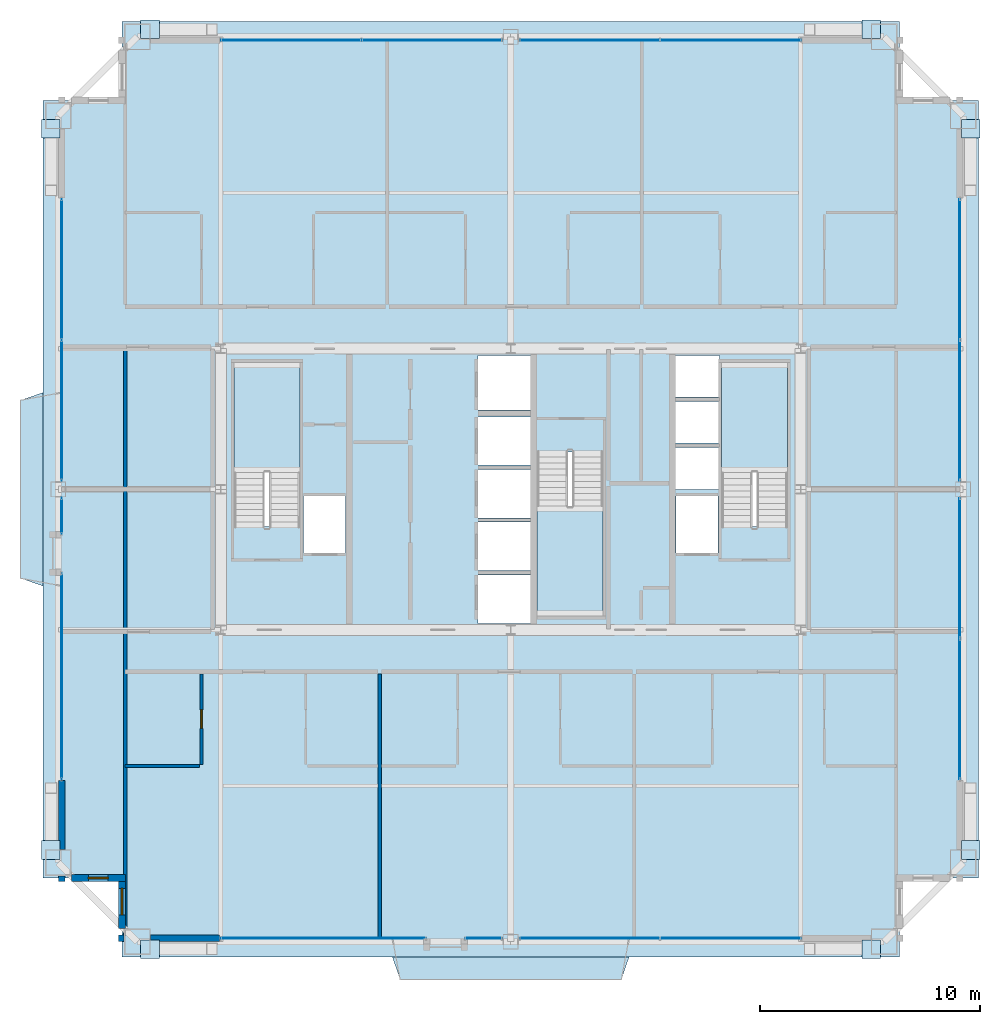
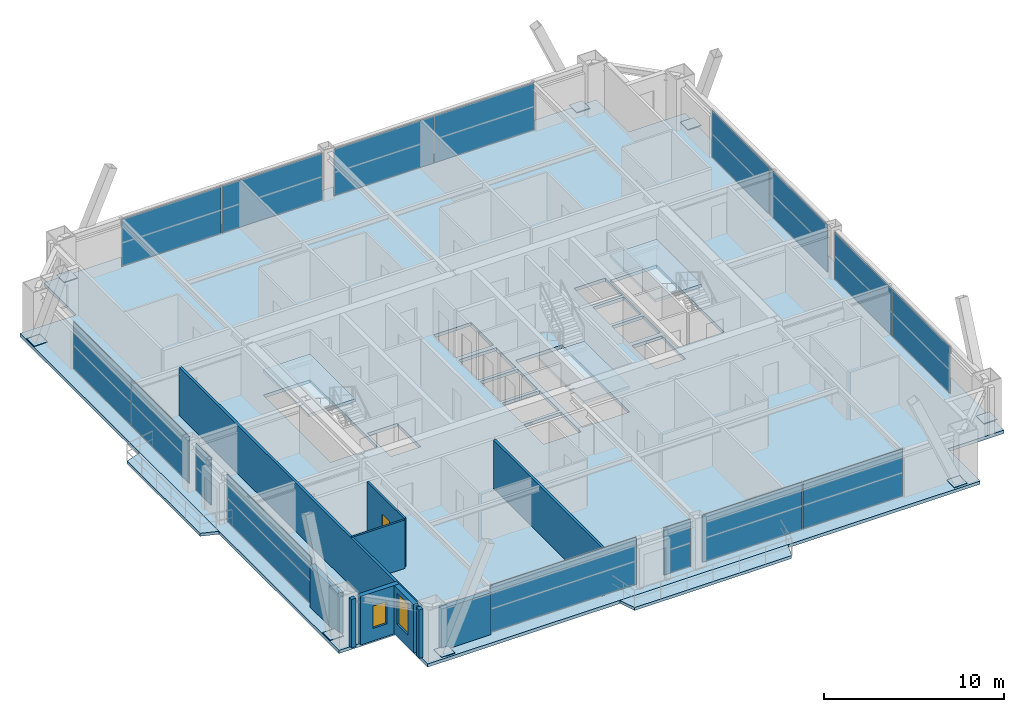
# One storey, part 28 of 33: 24 plates, 10 walls, 6 slabs, 2 windows, 1 door, 3 openings, 13 elements without a shape of their own.
"""IFC4 building model written with IfcOpenShell, lengths in metres."""

from ifc_helpers import new_model, si_unit, direction, frame, frame_2d, origin, origin_2d, place, context, subcontext, project, spatial, polyline, rectangle, outline, extrude, source, transform, mapped, material, layer, layer_set, type_object, element, fill, aggregate, save


model = new_model("IFC4")

# Units and contexts
model_context = context("Model", 3, precision=1e-05, world=origin(), true_north=direction((0.0, 1.0)))
body_context = subcontext(model_context, "Body", "Model", "MODEL_VIEW")
ifc_project = project(units=[si_unit("LENGTHUNIT", "METRE"), si_unit("AREAUNIT", "SQUARE_METRE"), si_unit("VOLUMEUNIT", "CUBIC_METRE"), si_unit("PLANEANGLEUNIT", "RADIAN"), si_unit("MASSUNIT", "GRAM", prefix="KILO"), si_unit("THERMODYNAMICTEMPERATUREUNIT", "KELVIN"), si_unit("POWERUNIT", "WATT")], contexts=[model_context])

# Site, building, storey
site_placement = place(None, origin())
site = spatial("IfcSite", under=ifc_project, at=site_placement, CompositionType="ELEMENT")
building_placement = place(site_placement, origin())
building = spatial("IfcBuilding", under=site, at=building_placement, Name="Yuzanri Waterfront Tower", CompositionType="ELEMENT")
storey_placement = place(building_placement, frame((0.0, 0.0, 234.60009765625)))
storey = spatial("IfcBuildingStorey", under=building, at=storey_placement, Name="L62", CompositionType="ELEMENT", Elevation=234.60009765625)

# Slabs
ifc_material_1 = material(Name="Concrete C40", Category="concrete")
ifc_layer_1 = layer(ifc_material_1, 0.199951171875)
ifc_layer_set_1 = layer_set([ifc_layer_1], Name="Concrete C40")
slab_type_1 = type_object("IfcSlabType", Name="Concrete C40 Cantilevered Engawa Wave Terrace Slab 200", PredefinedType="FLOOR", material=ifc_layer_set_1)
slab_1_placement = place(storey_placement, frame((0.0, 0.0, -0.2001953125)))
element("IfcSlab", 1, at=slab_1_placement, inside=storey, type_object=slab_type_1, Name="L62 S Cantilevered Engawa Terrace Slab", PredefinedType="FLOOR", context=body_context, shape_type="SweptSolid", body=[
    extrude(outline(polyline([(31.614501953125, 4.5), (42.385498046875, 4.5), (42.035400390625, 3.48291015625), (31.964599609375, 3.48291015625), (31.614501953125, 4.5)])), origin(), (0.0, 0.0, 1.0), 0.2001953125),
])
slab_2_placement = place(storey_placement, frame((0.0, 0.0, -0.2001953125)))
element("IfcSlab", 2, at=slab_2_placement, inside=storey, type_object=slab_type_1, Name="L62 W Cantilevered Engawa Terrace Slab", PredefinedType="FLOOR", context=body_context, shape_type="SweptSolid", body=[
    extrude(outline(polyline([(15.699951171875, 21.39990234375), (14.68310546875, 21.75), (14.68310546875, 29.85009765625), (15.699951171875, 30.199951171875), (15.699951171875, 21.39990234375)])), origin(), (0.0, 0.0, 1.0), 0.2001953125),
])

# Stair, slab
ifc_material_2 = material(Name="Concrete C40", Category="concrete")
stair_type = type_object("IfcStairType", Name="Concrete C40 Core Dogleg Exit Stair", PredefinedType="HALF_TURN_STAIR", material=ifc_material_2)
stair_1_placement = place(storey_placement, origin())
stair_1 = element("IfcStair", 3, at=stair_1_placement, inside=storey, type_object=stair_type, Name="L62 Smoke-Proof Core Stair ST-01", PredefinedType="HALF_TURN_STAIR")
ifc_material_3 = material(Name="Concrete C40", Category="concrete")
ifc_layer_2 = layer(ifc_material_3, 0.179931640625)
ifc_layer_set_2 = layer_set([ifc_layer_2], Name="Concrete C40")
slab_type_2 = type_object("IfcSlabType", Name="Concrete C40 Stair Half-Landing Slab 180", PredefinedType="LANDING", material=ifc_layer_set_2)
slab_3_placement = place(storey_placement, frame((0.0, 0.0, 1.5498046875)))
slab_3 = element("IfcSlab", 4, at=slab_3_placement, type_object=slab_type_2, Name="ST-01 landing 1", PredefinedType="LANDING", context=body_context, shape_type="SweptSolid", body=[
    extrude(outline(polyline([(27.39990234375, 26.56005859375), (27.39990234375, 31.580078125), (24.39990234375, 31.580078125), (24.39990234375, 26.56005859375), (27.39990234375, 26.56005859375)])), origin(), (0.0, 0.0, 1.0), 0.2001953125),
])
aggregate(stair_1, [slab_3])

stair_2_placement = place(storey_placement, origin())
stair_2 = element("IfcStair", 5, at=stair_2_placement, inside=storey, type_object=stair_type, Name="L62 Smoke-Proof Core Stair ST-02", PredefinedType="HALF_TURN_STAIR")
slab_4_placement = place(storey_placement, frame((0.0, 0.0, 1.5498046875)))
slab_4 = element("IfcSlab", 6, at=slab_4_placement, type_object=slab_type_2, Name="ST-02 landing 1", PredefinedType="LANDING", context=body_context, shape_type="SweptSolid", body=[
    extrude(outline(polyline([(49.60009765625, 26.56005859375), (49.60009765625, 31.580078125), (46.60009765625, 31.580078125), (46.60009765625, 26.56005859375), (49.60009765625, 26.56005859375)])), origin(), (0.0, 0.0, 1.0), 0.2001953125),
])
aggregate(stair_2, [slab_4])

stair_3_placement = place(storey_placement, origin())
stair_3 = element("IfcStair", 7, at=stair_3_placement, inside=storey, type_object=stair_type, Name="L62 Smoke-Proof Core Stair ST-03", PredefinedType="HALF_TURN_STAIR")
slab_5_placement = place(storey_placement, frame((0.0, 0.0, 1.5498046875)))
slab_5 = element("IfcSlab", 8, at=slab_5_placement, type_object=slab_type_2, Name="ST-03 landing 1", PredefinedType="LANDING", context=body_context, shape_type="SweptSolid", body=[
    extrude(outline(polyline([(38.199951171875, 25.0400390625), (38.199951171875, 20.02001953125), (41.199951171875, 20.02001953125), (41.199951171875, 25.0400390625), (38.199951171875, 25.0400390625)])), origin(), (0.0, 0.0, 1.0), 0.2001953125),
])
aggregate(stair_3, [slab_5])

# Slab
ifc_material_4 = material(Name="Concrete C40", Category="concrete")
ifc_layer_3 = layer(ifc_material_4, 0.219970703125)
ifc_layer_set_3 = layer_set([ifc_layer_3], Name="Concrete C40")
slab_type_3 = type_object("IfcSlabType", Name="Concrete C40 Tower Typical Structural Floor Slab 220", PredefinedType="FLOOR", material=ifc_layer_set_3)
slab_6_placement = place(storey_placement, frame((0.0, 0.0, -0.22021484375)))
element("IfcSlab", 9, at=slab_6_placement, inside=storey, type_object=slab_type_3, Name="L62 Main Structural Floor Slab", PredefinedType="FLOOR", context=body_context, shape_type="SweptSolid", body=[
    extrude(outline(polyline([(19.300048828125, 4.5), (54.699951171875, 4.5), (54.699951171875, 8.10009765625), (58.300048828125, 8.10009765625), (58.300048828125, 43.5), (54.699951171875, 43.5), (54.699951171875, 47.10009765625), (19.300048828125, 47.10009765625), (19.300048828125, 43.5), (15.699951171875, 43.5), (15.699951171875, 8.10009765625), (19.300048828125, 8.10009765625), (19.300048828125, 4.5)]), holes=[polyline([(27.39990234375, 24.10009765625), (27.39990234375, 31.580078125), (24.39990234375, 31.580078125), (24.39990234375, 24.10009765625), (27.39990234375, 24.10009765625)]), polyline([(49.60009765625, 24.10009765625), (49.60009765625, 31.580078125), (46.60009765625, 31.580078125), (46.60009765625, 24.10009765625), (49.60009765625, 24.10009765625)]), polyline([(38.199951171875, 27.5), (38.199951171875, 20.02001953125), (41.199951171875, 20.02001953125), (41.199951171875, 27.5), (38.199951171875, 27.5)]), polyline([(27.56005859375, 22.89990234375), (29.47998046875, 22.89990234375), (29.47998046875, 25.5), (27.56005859375, 25.5), (27.56005859375, 22.89990234375)]), polyline([(44.52001953125, 22.89990234375), (46.43994140625, 22.89990234375), (46.43994140625, 25.5), (44.52001953125, 25.5), (44.52001953125, 22.89990234375)]), polyline([(35.5, 19.699951171875), (37.89990234375, 19.699951171875), (37.89990234375, 21.89990234375), (35.5, 21.89990234375), (35.5, 19.699951171875)]), polyline([(35.5, 22.10009765625), (37.89990234375, 22.10009765625), (37.89990234375, 24.300048828125), (35.5, 24.300048828125), (35.5, 22.10009765625)]), polyline([(35.5, 24.5), (37.89990234375, 24.5), (37.89990234375, 26.699951171875), (35.5, 26.699951171875), (35.5, 24.5)]), polyline([(35.5, 26.89990234375), (37.89990234375, 26.89990234375), (37.89990234375, 29.10009765625), (35.5, 29.10009765625), (35.5, 26.89990234375)]), polyline([(35.5, 29.39990234375), (37.89990234375, 29.39990234375), (37.89990234375, 31.89990234375), (35.5, 31.89990234375), (35.5, 29.39990234375)]), polyline([(44.5, 25.800048828125), (46.5, 25.800048828125), (46.5, 27.699951171875), (44.5, 27.699951171875), (44.5, 25.800048828125)]), polyline([(44.5, 27.89990234375), (46.5, 27.89990234375), (46.5, 29.800048828125), (44.5, 29.800048828125), (44.5, 27.89990234375)]), polyline([(44.5, 30.0), (46.5, 30.0), (46.5, 31.89990234375), (44.5, 31.89990234375), (44.5, 30.0)])]), origin(), (0.0, 0.0, 1.0), 0.22021484375),
])

# Plates
ifc_material_5 = material(Name="Steel Q420GJC", Category="steel")
ifc_layer_4 = layer(ifc_material_5, 0.0400390625)
ifc_layer_set_4 = layer_set([ifc_layer_4], Name="Steel Q420GJC")
plate_type_1 = type_object("IfcPlateType", Name="Steel Q420GJC Mega-Brace Gusset and End-Cap Plate 40", PredefinedType="SHEET", material=ifc_layer_set_4)
shared_shape_1 = source(origin(), body_context, "Body", "SweptSolid", [
    extrude(rectangle(XDim=0.85009765625, YDim=0.85009765625, at=origin_2d()), origin(), (0.0, 0.0, 1.0), 0.0400390625),
])
for number, where, z_axis, x_axis, name in (
    (10, (20.580078125, 4.860107421875, 0.159912109375), (0.0, 0.0, 1.0), (1.0, 0.0, 0.0), "L62 Mega-Brace Foot Cap Plate S-L"),
    (11, (53.419921875, 4.860107421875, 0.159912109375), (0.0, 0.0, 1.0), (1.0, 0.0, 0.0), "L62 Mega-Brace Foot Cap Plate S-R"),
    (12, (20.580078125, 46.739990234375, 0.159912109375), (0.0, 0.0, 1.0), (1.0, 0.0, 0.0), "L62 Mega-Brace Foot Cap Plate N-L"),
    (13, (53.419921875, 46.739990234375, 0.159912109375), (0.0, 0.0, 1.0), (1.0, 0.0, 0.0), "L62 Mega-Brace Foot Cap Plate N-R"),
    (14, (16.06005859375, 9.3798828125, 0.159912109375), (0.0, 0.0, 1.0), (1.0, 0.0, 0.0), "L62 Mega-Brace Foot Cap Plate W-L"),
    (15, (16.06005859375, 42.219970703125, 0.159912109375), (0.0, 0.0, 1.0), (1.0, 0.0, 0.0), "L62 Mega-Brace Foot Cap Plate W-R"),
    (16, (57.93994140625, 9.3798828125, 0.159912109375), (0.0, 0.0, 1.0), (1.0, 0.0, 0.0), "L62 Mega-Brace Foot Cap Plate E-L"),
    (17, (57.93994140625, 42.219970703125, 0.159912109375), (0.0, 0.0, 1.0), (1.0, 0.0, 0.0), "L62 Mega-Brace Foot Cap Plate E-R"),
):
    element("IfcPlate", number, at=place(storey_placement, frame(where, z_axis=z_axis, x_axis=x_axis)), inside=storey, type_object=plate_type_1, Name=name, PredefinedType="SHEET", context=body_context, shape_type="MappedRepresentation", body=[
        mapped(shared_shape_1, transform((0.0, 0.0, 0.0), scale=1.0)),
    ])

# Curtain wall, plates
ifc_material_6 = material(Name="Anodized Architectural Bronze", Category="metal")
ifc_layer_5 = layer(ifc_material_6, 0.159912109375)
ifc_layer_set_5 = layer_set([ifc_layer_5], Name="Anodized Architectural Bronze")
curtain_wall_type = type_object("IfcCurtainWallType", Name="Anodized Bronze Mid-Rise Residential Acoustic Unitized Curtain Wall 7200", PredefinedType="NOTDEFINED", material=ifc_layer_set_5)
curtain_wall_1_placement = place(storey_placement, origin())
curtain_wall_1 = element("IfcCurtainWall", 18, at=curtain_wall_1_placement, inside=storey, type_object=curtain_wall_type, Name="L62 Curtain Wall CW-L62-SR", PredefinedType="NOTDEFINED")
ifc_material_7 = material(Name="Triple Low-E Laminated Insulated Glass", Category="glass")
ifc_layer_6 = layer(ifc_material_7, 0.0439453125)
ifc_layer_set_6 = layer_set([ifc_layer_6], Name="Triple Low-E Laminated Insulated Glass")
plate_type_2 = type_object("IfcPlateType", Name="Triple Glazed Acoustic Vision Glass Panel 44", PredefinedType="CURTAIN_PANEL", material=ifc_layer_set_6)
shared_shape_2 = source(origin(), body_context, "Body", "SweptSolid", [
    extrude(rectangle(XDim=6.3701171875, YDim=0.0439453125, at=origin_2d()), origin(), (0.0, 0.0, 1.0), 3.179931640625),
])
plate_1_placement = place(storey_placement, frame((40.574951171875, 5.35009765625, 0.0498046875), z_axis=(0.0, 0.0, 1.0), x_axis=(1.0, 0.0, 0.0)))
plate_1 = element("IfcPlate", 19, at=plate_1_placement, type_object=plate_type_2, Name="CW-L62-SR Vision Glass Panel 01", PredefinedType="CURTAIN_PANEL", context=body_context, shape_type="MappedRepresentation", body=[
    mapped(shared_shape_2, transform((0.0, 0.0, 0.0), scale=1.0)),
])
plate_2_placement = place(storey_placement, frame((47.02490234375, 5.35009765625, 0.0498046875), z_axis=(0.0, 0.0, 1.0), x_axis=(1.0, 0.0, 0.0)))
plate_2 = element("IfcPlate", 20, at=plate_2_placement, type_object=plate_type_2, Name="CW-L62-SR Vision Glass Panel 02", PredefinedType="CURTAIN_PANEL", context=body_context, shape_type="MappedRepresentation", body=[
    mapped(shared_shape_2, transform((0.0, 0.0, 0.0), scale=1.0)),
])
aggregate(curtain_wall_1, [plate_1, plate_2])

curtain_wall_2_placement = place(storey_placement, origin())
curtain_wall_2 = element("IfcCurtainWall", 21, at=curtain_wall_2_placement, inside=storey, type_object=curtain_wall_type, Name="L62 Curtain Wall CW-L62-NL", PredefinedType="NOTDEFINED")
plate_3_placement = place(storey_placement, frame((26.97509765625, 46.25, 0.0498046875), z_axis=(0.0, 0.0, 1.0), x_axis=(1.0, 0.0, 0.0)))
plate_3 = element("IfcPlate", 22, at=plate_3_placement, type_object=plate_type_2, Name="CW-L62-NL Vision Glass Panel 01", PredefinedType="CURTAIN_PANEL", context=body_context, shape_type="MappedRepresentation", body=[
    mapped(shared_shape_2, transform((0.0, 0.0, 0.0), scale=1.0)),
])
plate_4_placement = place(storey_placement, frame((33.425048828125, 46.25, 0.0498046875), z_axis=(0.0, 0.0, 1.0), x_axis=(1.0, 0.0, 0.0)))
plate_4 = element("IfcPlate", 23, at=plate_4_placement, type_object=plate_type_2, Name="CW-L62-NL Vision Glass Panel 02", PredefinedType="CURTAIN_PANEL", context=body_context, shape_type="MappedRepresentation", body=[
    mapped(shared_shape_2, transform((0.0, 0.0, 0.0), scale=1.0)),
])
aggregate(curtain_wall_2, [plate_3, plate_4])

curtain_wall_3_placement = place(storey_placement, origin())
curtain_wall_3 = element("IfcCurtainWall", 24, at=curtain_wall_3_placement, inside=storey, type_object=curtain_wall_type, Name="L62 Curtain Wall CW-L62-NR", PredefinedType="NOTDEFINED")
plate_5_placement = place(storey_placement, frame((40.574951171875, 46.25, 0.0498046875), z_axis=(0.0, 0.0, 1.0), x_axis=(1.0, 0.0, 0.0)))
plate_5 = element("IfcPlate", 25, at=plate_5_placement, type_object=plate_type_2, Name="CW-L62-NR Vision Glass Panel 01", PredefinedType="CURTAIN_PANEL", context=body_context, shape_type="MappedRepresentation", body=[
    mapped(shared_shape_2, transform((0.0, 0.0, 0.0), scale=1.0)),
])
plate_6_placement = place(storey_placement, frame((47.02490234375, 46.25, 0.0498046875), z_axis=(0.0, 0.0, 1.0), x_axis=(1.0, 0.0, 0.0)))
plate_6 = element("IfcPlate", 26, at=plate_6_placement, type_object=plate_type_2, Name="CW-L62-NR Vision Glass Panel 02", PredefinedType="CURTAIN_PANEL", context=body_context, shape_type="MappedRepresentation", body=[
    mapped(shared_shape_2, transform((0.0, 0.0, 0.0), scale=1.0)),
])
aggregate(curtain_wall_3, [plate_5, plate_6])

curtain_wall_4_placement = place(storey_placement, origin())
curtain_wall_4 = element("IfcCurtainWall", 27, at=curtain_wall_4_placement, inside=storey, type_object=curtain_wall_type, Name="L62 Curtain Wall CW-L62-WR", PredefinedType="NOTDEFINED")
plate_7_placement = place(storey_placement, frame((16.550048828125, 29.375, 0.0498046875), z_axis=(0.0, 0.0, 1.0), x_axis=(0.0, 1.0, 0.0)))
plate_7 = element("IfcPlate", 28, at=plate_7_placement, type_object=plate_type_2, Name="CW-L62-WR Vision Glass Panel 01", PredefinedType="CURTAIN_PANEL", context=body_context, shape_type="MappedRepresentation", body=[
    mapped(shared_shape_2, transform((0.0, 0.0, 0.0), scale=1.0)),
])
plate_8_placement = place(storey_placement, frame((16.550048828125, 35.824951171875, 0.0498046875), z_axis=(0.0, 0.0, 1.0), x_axis=(0.0, 1.0, 0.0)))
plate_8 = element("IfcPlate", 29, at=plate_8_placement, type_object=plate_type_2, Name="CW-L62-WR Vision Glass Panel 02", PredefinedType="CURTAIN_PANEL", context=body_context, shape_type="MappedRepresentation", body=[
    mapped(shared_shape_2, transform((0.0, 0.0, 0.0), scale=1.0)),
])
aggregate(curtain_wall_4, [plate_7, plate_8])

curtain_wall_5_placement = place(storey_placement, origin())
curtain_wall_5 = element("IfcCurtainWall", 30, at=curtain_wall_5_placement, inside=storey, type_object=curtain_wall_type, Name="L62 Curtain Wall CW-L62-EL", PredefinedType="NOTDEFINED")
plate_9_placement = place(storey_placement, frame((57.449951171875, 15.77490234375, 0.0498046875), z_axis=(0.0, 0.0, 1.0), x_axis=(0.0, 1.0, 0.0)))
plate_9 = element("IfcPlate", 31, at=plate_9_placement, type_object=plate_type_2, Name="CW-L62-EL Vision Glass Panel 01", PredefinedType="CURTAIN_PANEL", context=body_context, shape_type="MappedRepresentation", body=[
    mapped(shared_shape_2, transform((0.0, 0.0, 0.0), scale=1.0)),
])
plate_10_placement = place(storey_placement, frame((57.449951171875, 22.22509765625, 0.0498046875), z_axis=(0.0, 0.0, 1.0), x_axis=(0.0, 1.0, 0.0)))
plate_10 = element("IfcPlate", 32, at=plate_10_placement, type_object=plate_type_2, Name="CW-L62-EL Vision Glass Panel 02", PredefinedType="CURTAIN_PANEL", context=body_context, shape_type="MappedRepresentation", body=[
    mapped(shared_shape_2, transform((0.0, 0.0, 0.0), scale=1.0)),
])
aggregate(curtain_wall_5, [plate_9, plate_10])

curtain_wall_6_placement = place(storey_placement, origin())
curtain_wall_6 = element("IfcCurtainWall", 33, at=curtain_wall_6_placement, inside=storey, type_object=curtain_wall_type, Name="L62 Curtain Wall CW-L62-ER", PredefinedType="NOTDEFINED")
plate_11_placement = place(storey_placement, frame((57.449951171875, 29.375, 0.0498046875), z_axis=(0.0, 0.0, 1.0), x_axis=(0.0, 1.0, 0.0)))
plate_11 = element("IfcPlate", 34, at=plate_11_placement, type_object=plate_type_2, Name="CW-L62-ER Vision Glass Panel 01", PredefinedType="CURTAIN_PANEL", context=body_context, shape_type="MappedRepresentation", body=[
    mapped(shared_shape_2, transform((0.0, 0.0, 0.0), scale=1.0)),
])
plate_12_placement = place(storey_placement, frame((57.449951171875, 35.824951171875, 0.0498046875), z_axis=(0.0, 0.0, 1.0), x_axis=(0.0, 1.0, 0.0)))
plate_12 = element("IfcPlate", 35, at=plate_12_placement, type_object=plate_type_2, Name="CW-L62-ER Vision Glass Panel 02", PredefinedType="CURTAIN_PANEL", context=body_context, shape_type="MappedRepresentation", body=[
    mapped(shared_shape_2, transform((0.0, 0.0, 0.0), scale=1.0)),
])
aggregate(curtain_wall_6, [plate_11, plate_12])

# Curtain wall, plate
curtain_wall_7_placement = place(storey_placement, origin())
curtain_wall_7 = element("IfcCurtainWall", 36, at=curtain_wall_7_placement, inside=storey, type_object=curtain_wall_type, Name="L62 Curtain Wall CW-L62-SL1", PredefinedType="NOTDEFINED")
shared_shape_3 = source(origin(), body_context, "Body", "SweptSolid", [
    extrude(rectangle(XDim=9.35205078125, YDim=0.0439453125, at=origin_2d()), origin(), (0.0, 0.0, 1.0), 3.179931640625),
])
plate_13_placement = place(storey_placement, frame((28.466064453125, 5.35009765625, 0.0498046875), z_axis=(0.0, 0.0, 1.0), x_axis=(1.0, 0.0, 0.0)))
plate_13 = element("IfcPlate", 37, at=plate_13_placement, type_object=plate_type_2, Name="CW-L62-SL1 Vision Glass Panel 01", PredefinedType="CURTAIN_PANEL", context=body_context, shape_type="MappedRepresentation", body=[
    mapped(shared_shape_3, transform((0.0, 0.0, 0.0), scale=1.0)),
])
aggregate(curtain_wall_7, [plate_13])

curtain_wall_8_placement = place(storey_placement, origin())
curtain_wall_8 = element("IfcCurtainWall", 38, at=curtain_wall_8_placement, inside=storey, type_object=curtain_wall_type, Name="L62 Curtain Wall CW-L62-SL2", PredefinedType="NOTDEFINED")
shared_shape_4 = source(origin(), body_context, "Body", "SweptSolid", [
    extrude(rectangle(XDim=1.68798828125, YDim=0.0439453125, at=origin_2d()), origin(), (0.0, 0.0, 1.0), 3.179931640625),
])
plate_14_placement = place(storey_placement, frame((35.76611328125, 5.35009765625, 0.0498046875), z_axis=(0.0, 0.0, 1.0), x_axis=(1.0, 0.0, 0.0)))
plate_14 = element("IfcPlate", 39, at=plate_14_placement, type_object=plate_type_2, Name="CW-L62-SL2 Vision Glass Panel 01", PredefinedType="CURTAIN_PANEL", context=body_context, shape_type="MappedRepresentation", body=[
    mapped(shared_shape_4, transform((0.0, 0.0, 0.0), scale=1.0)),
])
aggregate(curtain_wall_8, [plate_14])

curtain_wall_9_placement = place(storey_placement, origin())
curtain_wall_9 = element("IfcCurtainWall", 40, at=curtain_wall_9_placement, inside=storey, type_object=curtain_wall_type, Name="L62 Curtain Wall CW-L62-WL1", PredefinedType="NOTDEFINED")
shared_shape_5 = source(origin(), body_context, "Body", "SweptSolid", [
    extrude(rectangle(XDim=9.39501953125, YDim=0.0439453125, at=origin_2d()), origin(), (0.0, 0.0, 1.0), 3.179931640625),
])
plate_15_placement = place(storey_placement, frame((16.550048828125, 17.28759765625, 0.0498046875), z_axis=(0.0, 0.0, 1.0), x_axis=(0.0, 1.0, 0.0)))
plate_15 = element("IfcPlate", 41, at=plate_15_placement, type_object=plate_type_2, Name="CW-L62-WL1 Vision Glass Panel 01", PredefinedType="CURTAIN_PANEL", context=body_context, shape_type="MappedRepresentation", body=[
    mapped(shared_shape_5, transform((0.0, 0.0, 0.0), scale=1.0)),
])
aggregate(curtain_wall_9, [plate_15])

curtain_wall_10_placement = place(storey_placement, origin())
curtain_wall_10 = element("IfcCurtainWall", 42, at=curtain_wall_10_placement, inside=storey, type_object=curtain_wall_type, Name="L62 Curtain Wall CW-L62-WL2", PredefinedType="NOTDEFINED")
shared_shape_6 = source(origin(), body_context, "Body", "SweptSolid", [
    extrude(rectangle(XDim=1.64501953125, YDim=0.0439453125, at=origin_2d()), origin(), (0.0, 0.0, 1.0), 3.179931640625),
])
plate_16_placement = place(storey_placement, frame((16.550048828125, 24.58740234375, 0.0498046875), z_axis=(0.0, 0.0, 1.0), x_axis=(0.0, 1.0, 0.0)))
plate_16 = element("IfcPlate", 43, at=plate_16_placement, type_object=plate_type_2, Name="CW-L62-WL2 Vision Glass Panel 01", PredefinedType="CURTAIN_PANEL", context=body_context, shape_type="MappedRepresentation", body=[
    mapped(shared_shape_6, transform((0.0, 0.0, 0.0), scale=1.0)),
])
aggregate(curtain_wall_10, [plate_16])

# Wall, opening, door
ifc_material_8 = material(Name="Moisture-Resistant Gypsum Stud Wall", Category="gypsum")
ifc_layer_7 = layer(ifc_material_8, 0.1201171875)
ifc_layer_set_7 = layer_set([ifc_layer_7], Name="Moisture-Resistant Gypsum Stud Wall")
wall_type_1 = type_object("IfcWallType", Name="Bathroom and Kitchen Wet Partition 120", PredefinedType="PARTITIONING", material=ifc_layer_set_7)
wall_1_placement = place(storey_placement, frame((22.919921875, 13.280029296875, 0.0), z_axis=(0.0, 0.0, 1.0), x_axis=(0.0, 1.0, 0.0)))
wall_1 = element("IfcWall", 44, at=wall_1_placement, inside=storey, type_object=wall_type_1, Name="L62 Partition UW-L62-RS1-SUB-1-E", PredefinedType="PARTITIONING", context=body_context, shape_type="SweptSolid", body=[
    extrude(rectangle(XDim=4.10986328125, YDim=0.1201171875, at=frame_2d((2.054931640625, 0.0))), origin(), (0.0, 0.0, 1.0), 3.27978515625),
])
opening_1_placement = place(wall_1_placement, frame((1.6298828125, 0.0, 0.0)))
opening_1 = element("IfcOpeningElement", 45, at=opening_1_placement, cuts=wall_1, Name="Opening ID-0850", PredefinedType="OPENING", context=body_context, shape_type="SweptSolid", body=[
    extrude(rectangle(XDim=0.85009765625, YDim=2.10009765625, at=frame_2d((0.425048828125, 1.050048828125))), frame((0.0, 0.074951171875, 0.0), z_axis=(0.0, -1.0, 0.0), x_axis=(1.0, 0.0, 0.0)), (0.0, 0.0, 1.0), 0.14990234375),
])
ifc_material_9 = material(Name="Moisture-Resistant Lacquered Timber", Category="wood")
door_type = type_object("IfcDoorType", Name="En-Suite Bathroom and Kitchen Swing Door 850x2100", OperationType="NOTDEFINED", PredefinedType="DOOR", material=ifc_material_9)
shared_shape_7 = source(origin(), body_context, "Body", "SweptSolid", [
    extrude(rectangle(XDim=0.85009765625, YDim=2.10009765625, at=frame_2d((0.425048828125, 1.050048828125))), frame((0.0, 0.02490234375, 0.0), z_axis=(0.0, -1.0, 0.0), x_axis=(1.0, 0.0, 0.0)), (0.0, 0.0, 1.0), 0.050048828125),
])
door_placement = place(opening_1_placement, origin())
door = element("IfcDoor", 46, at=door_placement, inside=storey, type_object=door_type, Name="L62 Suite Interior Room Door", OperationType="SINGLE_SWING_LEFT", OverallHeight=2.10009765625, OverallWidth=0.85009765625, PredefinedType="DOOR", context=body_context, shape_type="MappedRepresentation", body=[
    mapped(shared_shape_7, transform((0.0, 0.0, 0.0), scale=1.0)),
])
fill(opening_1, door)

# Wall, opening, window
ifc_material_10 = material(Name="Honed Chongqing Dark Basalt Stone", Category="masonry")
ifc_layer_8 = layer(ifc_material_10, 0.300048828125)
ifc_layer_set_8 = layer_set([ifc_layer_8], Name="Honed Chongqing Dark Basalt Stone")
wall_type_2 = type_object("IfcWallType", Name="Bronze Rainscreen Insulated Spandrel Portal Wall 300", PredefinedType="SOLIDWALL", material=ifc_layer_set_8)
wall_2_placement = place(storey_placement, frame((17.0, 8.10009765625, 0.0), z_axis=(0.0, 0.0, 1.0), x_axis=(1.0, 0.0, 0.0)))
wall_2 = element("IfcWall", 47, at=wall_2_placement, inside=storey, type_object=wall_type_2, Name="L62 Notched Corner Masonry Wall SW-X", PredefinedType="SOLIDWALL", context=body_context, shape_type="SweptSolid", body=[
    extrude(rectangle(XDim=2.449951171875, YDim=0.300048828125, at=frame_2d((1.22509765625, 0.0))), origin(), (0.0, 0.0, 1.0), 3.27978515625),
])
opening_2_placement = place(wall_2_placement, frame((0.77490234375, 0.0, 0.85009765625)))
opening_2 = element("IfcOpeningElement", 48, at=opening_2_placement, cuts=wall_2, Name="Opening WN-05", PredefinedType="OPENING", context=body_context, shape_type="SweptSolid", body=[
    extrude(rectangle(XDim=0.89990234375, YDim=1.5, at=frame_2d((0.449951171875, 0.75))), frame((0.0, 0.1650390625, 0.0), z_axis=(0.0, -1.0, 0.0), x_axis=(1.0, 0.0, 0.0)), (0.0, 0.0, 1.0), 0.329833984375),
])
ifc_material_11 = material(Name="Double-Silver Low-E Insulated Glass", Category="glass")
window_type_1 = type_object("IfcWindowType", Name="Anodized Bronze Service and Stairwell Smoke-Vent Window 900x1500", PartitioningType="SINGLE_PANEL", PredefinedType="WINDOW", material=ifc_material_11)
shared_shape_8 = source(origin(), body_context, "Body", "SweptSolid", [
    extrude(rectangle(XDim=0.89990234375, YDim=1.5, at=frame_2d((0.449951171875, 0.75))), frame((0.0, 0.030029296875, 0.0), z_axis=(0.0, -1.0, 0.0), x_axis=(1.0, 0.0, 0.0)), (0.0, 0.0, 1.0), 0.06005859375),
])
window_1_placement = place(opening_2_placement, origin())
window_1 = element("IfcWindow", 49, at=window_1_placement, inside=storey, type_object=window_type_1, Name="L62 Notched Corner Window SW-X", OverallHeight=1.5, OverallWidth=0.89990234375, PartitioningType="SINGLE_PANEL", PredefinedType="WINDOW", context=body_context, shape_type="MappedRepresentation", body=[
    mapped(shared_shape_8, transform((0.0, 0.0, 0.0), scale=1.0)),
])
fill(opening_2, window_1)

wall_3_placement = place(storey_placement, frame((19.300048828125, 8.25, 0.0), z_axis=(0.0, 0.0, 1.0), x_axis=(0.0, -1.0, 0.0)))
wall_3 = element("IfcWall", 50, at=wall_3_placement, inside=storey, type_object=wall_type_2, Name="L62 Notched Corner Masonry Wall SW-Y", PredefinedType="SOLIDWALL", context=body_context, shape_type="SweptSolid", body=[
    extrude(rectangle(XDim=2.449951171875, YDim=0.300048828125, at=frame_2d((1.22509765625, 0.0))), origin(), (0.0, 0.0, 1.0), 3.27978515625),
])
opening_3_placement = place(wall_3_placement, frame((0.625, 0.0, 0.85009765625)))
opening_3 = element("IfcOpeningElement", 51, at=opening_3_placement, cuts=wall_3, Name="Opening WN-02", PredefinedType="OPENING", context=body_context, shape_type="SweptSolid", body=[
    extrude(rectangle(XDim=1.199951171875, YDim=2.10009765625, at=frame_2d((0.60009765625, 1.050048828125))), frame((0.0, 0.1650390625, 0.0), z_axis=(0.0, -1.0, 0.0), x_axis=(1.0, 0.0, 0.0)), (0.0, 0.0, 1.0), 0.329833984375),
])
ifc_material_12 = material(Name="Double-Silver Low-E Insulated Glass", Category="glass")
window_type_2 = type_object("IfcWindowType", Name="Anodized Bronze Notched Corner Deep-Set Slot Window 1200x2100", PartitioningType="SINGLE_PANEL", PredefinedType="WINDOW", material=ifc_material_12)
shared_shape_9 = source(origin(), body_context, "Body", "SweptSolid", [
    extrude(rectangle(XDim=1.199951171875, YDim=2.10009765625, at=frame_2d((0.60009765625, 1.050048828125))), frame((0.0, 0.030029296875, 0.0), z_axis=(0.0, -1.0, 0.0), x_axis=(1.0, 0.0, 0.0)), (0.0, 0.0, 1.0), 0.06005859375),
])
window_2_placement = place(opening_3_placement, origin())
window_2 = element("IfcWindow", 52, at=window_2_placement, inside=storey, type_object=window_type_2, Name="L62 Notched Corner Window SW-Y", OverallHeight=2.10009765625, OverallWidth=1.199951171875, PartitioningType="SINGLE_PANEL", PredefinedType="WINDOW", context=body_context, shape_type="MappedRepresentation", body=[
    mapped(shared_shape_9, transform((0.0, 0.0, 0.0), scale=1.0)),
])
fill(opening_3, window_2)

# Walls
shared_shape_10 = source(origin(), body_context, "Body", "SweptSolid", [
    extrude(rectangle(XDim=0.25, YDim=0.300048828125, at=frame_2d((0.125, 0.0))), origin(), (0.0, 0.0, 1.0), 3.27978515625),
])
for number, where, z_axis, x_axis, name in (
    (53, (19.14990234375, 5.35009765625, 0.0), (0.0, 0.0, 1.0), (1.0, 0.0, 0.0), "L62 Corner Column Shoulder Return CSW"),
    (54, (16.550048828125, 7.949951171875, 0.0), (0.0, 0.0, 1.0), (0.0, 1.0, 0.0), "L62 Corner Column Shoulder Return CWS"),
):
    element("IfcWall", number, at=place(storey_placement, frame(where, z_axis=z_axis, x_axis=x_axis)), inside=storey, type_object=wall_type_2, Name=name, PredefinedType="SOLIDWALL", context=body_context, shape_type="MappedRepresentation", body=[
        mapped(shared_shape_10, transform((0.0, 0.0, 0.0), scale=1.0)),
    ])
shared_shape_11 = source(origin(), body_context, "Body", "SweptSolid", [
    extrude(rectangle(XDim=3.14990234375, YDim=0.300048828125, at=frame_2d((1.574951171875, 0.0))), origin(), (0.0, 0.0, 1.0), 2.8349609375),
])
wall_4_placement = place(storey_placement, frame((20.60009765625, 5.35009765625, 0.0), z_axis=(0.0, 0.0, 1.0), x_axis=(1.0, 0.0, 0.0)))
element("IfcWall", 55, at=wall_4_placement, inside=storey, type_object=wall_type_2, Name="L62 S Left Braced Masonry Shoulder", PredefinedType="SOLIDWALL", context=body_context, shape_type="MappedRepresentation", body=[
    mapped(shared_shape_11, transform((0.0, 0.0, 0.0), scale=1.0)),
])
shared_shape_12 = source(origin(), body_context, "Body", "SweptSolid", [
    extrude(rectangle(XDim=3.150146484375, YDim=0.300048828125, at=frame_2d((1.5751953125, 0.0))), origin(), (0.0, 0.0, 1.0), 2.8349609375),
])
wall_5_placement = place(storey_placement, frame((16.550048828125, 9.39990234375, 0.0), z_axis=(0.0, 0.0, 1.0), x_axis=(0.0, 1.0, 0.0)))
element("IfcWall", 56, at=wall_5_placement, inside=storey, type_object=wall_type_2, Name="L62 W Left Braced Masonry Shoulder", PredefinedType="SOLIDWALL", context=body_context, shape_type="MappedRepresentation", body=[
    mapped(shared_shape_12, transform((0.0, 0.0, 0.0), scale=1.0)),
])
ifc_material_13 = material(Name="Gypsum Fireboard Acoustic Stud Wall", Category="gypsum")
ifc_layer_9 = layer(ifc_material_13, 0.159912109375)
ifc_layer_set_9 = layer_set([ifc_layer_9], Name="Gypsum Fireboard Acoustic Stud Wall")
wall_type_3 = type_object("IfcWallType", Name="Acoustic Suite Demising Partition 160", PredefinedType="PARTITIONING", material=ifc_layer_set_9)
shared_shape_13 = source(origin(), body_context, "Body", "SweptSolid", [
    extrude(rectangle(XDim=12.039794921875, YDim=0.159912109375, at=frame_2d((6.02001953125, 0.0))), origin(), (0.0, 0.0, 1.0), 3.27978515625),
])
wall_6_placement = place(storey_placement, frame((31.030029296875, 5.35009765625, 0.0), z_axis=(0.0, 0.0, 1.0), x_axis=(0.0, 1.0, 0.0)))
element("IfcWall", 57, at=wall_6_placement, inside=storey, type_object=wall_type_3, Name="L62-RS1 Party Wall", PredefinedType="PARTITIONING", context=body_context, shape_type="MappedRepresentation", body=[
    mapped(shared_shape_13, transform((0.0, 0.0, 0.0), scale=1.0)),
])
shared_shape_14 = source(origin(), body_context, "Body", "SweptSolid", [
    extrude(rectangle(XDim=3.400146484375, YDim=0.1201171875, at=frame_2d((1.7001953125, 0.0))), origin(), (0.0, 0.0, 1.0), 3.27978515625),
])
wall_7_placement = place(storey_placement, frame((19.43994140625, 13.199951171875, 0.0), z_axis=(0.0, 0.0, 1.0), x_axis=(1.0, 0.0, 0.0)))
element("IfcWall", 58, at=wall_7_placement, inside=storey, type_object=wall_type_1, Name="L62 Partition UW-L62-RS1-SUB-1-S", PredefinedType="PARTITIONING", context=body_context, shape_type="MappedRepresentation", body=[
    mapped(shared_shape_14, transform((0.0, 0.0, 0.0), scale=1.0)),
])
shared_shape_15 = source(origin(), body_context, "Body", "SweptSolid", [
    extrude(rectangle(XDim=26.68994140625, YDim=0.159912109375, at=frame_2d((13.344970703125, 0.0))), origin(), (0.0, 0.0, 1.0), 3.27978515625),
])
wall_8_placement = place(storey_placement, frame((19.449951171875, 5.5, 0.0), z_axis=(0.0, 0.0, 1.0), x_axis=(0.0, 1.0, 0.0)))
element("IfcWall", 59, at=wall_8_placement, inside=storey, type_object=wall_type_3, Name="L62 South Band West End Wall", PredefinedType="PARTITIONING", context=body_context, shape_type="MappedRepresentation", body=[
    mapped(shared_shape_15, transform((0.0, 0.0, 0.0), scale=1.0)),
])

save(model, "model.ifc")
